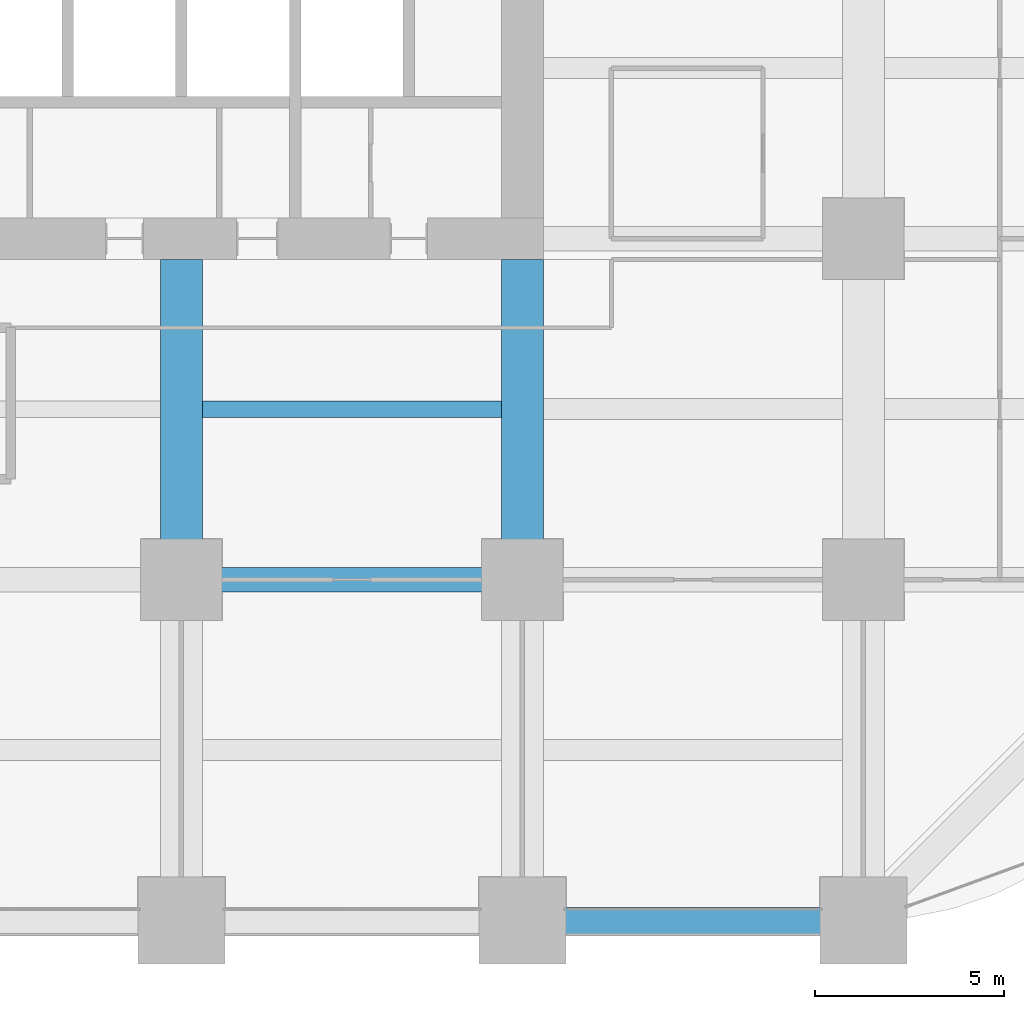
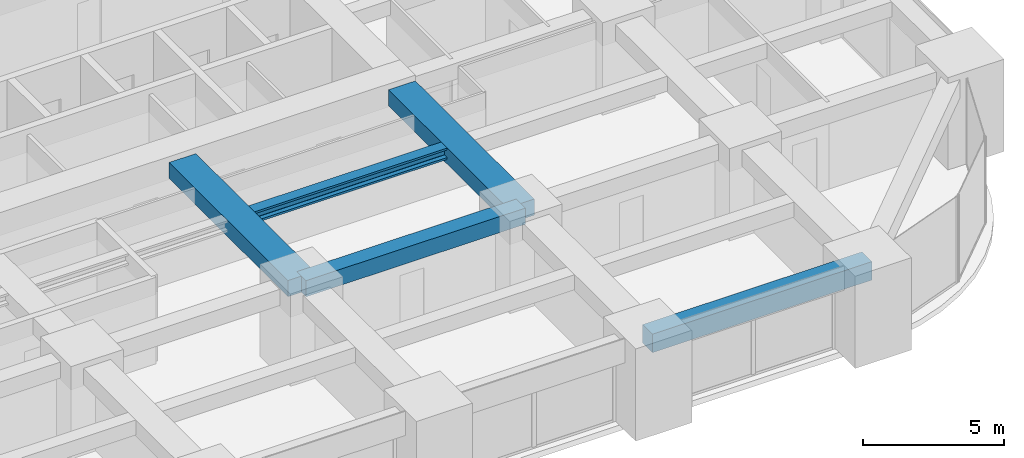
# One storey, part 14 of 44: 5 beams.
"""IFC4 building model written with IfcOpenShell, lengths in metres."""

from ifc_helpers import new_model, si_unit, direction, frame, origin, origin_2d, place, context, subcontext, project, spatial, rectangle, i_section, extrude, material, material_profile, profile_set, type_object, element, save


model = new_model("IFC4")

# Units and contexts
model_context = context("Model", 3, precision=1e-05, world=origin(), true_north=direction((0.0, 1.0)))
body_context = subcontext(model_context, "Body", "Model", "MODEL_VIEW")
ifc_project = project(units=[si_unit("LENGTHUNIT", "METRE"), si_unit("AREAUNIT", "SQUARE_METRE"), si_unit("VOLUMEUNIT", "CUBIC_METRE"), si_unit("PLANEANGLEUNIT", "RADIAN"), si_unit("MASSUNIT", "GRAM", prefix="KILO")], contexts=[model_context])

# Site, building, storey
site_placement = place(None, origin())
site = spatial("IfcSite", under=ifc_project, at=site_placement, CompositionType="ELEMENT")
building_placement = place(site_placement, origin())
building = spatial("IfcBuilding", under=site, at=building_placement, Name="Zorevar Civic Tower", CompositionType="ELEMENT")
storey_placement = place(building_placement, frame((0.0, 0.0, 51.800048828125)))
storey = spatial("IfcBuildingStorey", under=building, at=storey_placement, Name="L12", CompositionType="ELEMENT", Elevation=51.800048828125)

# Beams
ifc_material_1 = material(Name="Concrete C50/60", Category="concrete")
ifc_material_profile_1 = material_profile(ifc_material_1, rectangle(XDim=1.10009765625, YDim=0.699951171875, at=origin_2d()), Name="RC 1100x700")
ifc_profile_set_1 = profile_set([ifc_material_profile_1], Name="Concrete C50/60")
beam_type_1 = type_object("IfcBeamType", Name="Beam RC 1100x700", PredefinedType="BEAM", material=ifc_profile_set_1)
for number, where, z_axis, x_axis, name in (
    (1, (36.0, 9.0, 3.39990234375), (0.0, 1.0, 0.0), (-1.0, 0.0, 0.0), "Girder L13"),
    (2, (45.0, 9.0, 3.39990234375), (0.0, 1.0, 0.0), (-1.0, 0.0, 0.0), "Girder L13"),
):
    element("IfcBeam", number, at=place(storey_placement, frame(where, z_axis=z_axis, x_axis=x_axis)), inside=storey, type_object=beam_type_1, Name=name, PredefinedType="BEAM", context=body_context, shape_type="SweptSolid", body=[
        extrude(rectangle(XDim=1.10009765625, YDim=0.699951171875, at=origin_2d()), origin(), (0.0, 0.0, 1.0), 8.449951171875),
    ])
ifc_material_2 = material(Name="Concrete C50/60", Category="concrete")
ifc_material_profile_2 = material_profile(ifc_material_2, rectangle(XDim=0.64990234375, YDim=0.699951171875, at=origin_2d()), Name="RC 650x700")
ifc_profile_set_2 = profile_set([ifc_material_profile_2], Name="Concrete C50/60")
beam_type_2 = type_object("IfcBeamType", Name="Beam RC 650x700", PredefinedType="BEAM", material=ifc_profile_set_2)
beam_1_placement = place(storey_placement, frame((36.0, 9.0, 3.39990234375), z_axis=(1.0, 0.0, 0.0), x_axis=(0.0, 1.0, 0.0)))
element("IfcBeam", 3, at=beam_1_placement, inside=storey, type_object=beam_type_2, Name="Girder L13", PredefinedType="BEAM", context=body_context, shape_type="SweptSolid", body=[
    extrude(rectangle(XDim=0.64990234375, YDim=0.699951171875, at=origin_2d()), origin(), (0.0, 0.0, 1.0), 9.0),
])
ifc_material_3 = material(Name="Steel S460M (HISTAR 460)", Category="steel")
ifc_material_profile_3 = material_profile(ifc_material_3, i_section(OverallWidth=0.431884765625, OverallDepth=0.498046875, WebThickness=0.0556640625, FlangeThickness=0.0888671875, FilletRadius=0.014892578125, at=origin_2d()), Name="HD 400x744")
ifc_profile_set_3 = profile_set([ifc_material_profile_3], Name="Steel S460M (HISTAR 460)")
beam_type_3 = type_object("IfcBeamType", Name="Core bay beam HD 400x744", PredefinedType="BEAM", material=ifc_profile_set_3)
beam_2_placement = place(storey_placement, frame((36.550048828125, 13.5, 3.5009765625), z_axis=(1.0, 0.0, 0.0), x_axis=(0.0, 1.0, 0.0)))
element("IfcBeam", 4, at=beam_2_placement, inside=storey, type_object=beam_type_3, Name="Secondary beam L13", PredefinedType="BEAM", context=body_context, shape_type="SweptSolid", body=[
    extrude(i_section(OverallWidth=0.431884765625, OverallDepth=0.498046875, WebThickness=0.0556640625, FlangeThickness=0.0888671875, FilletRadius=0.014892578125, at=origin_2d()), origin(), (0.0, 0.0, 1.0), 7.89990234375),
])
ifc_material_4 = material(Name="Concrete C50/60", Category="concrete")
ifc_material_profile_4 = material_profile(ifc_material_4, rectangle(XDim=0.699951171875, YDim=0.800048828125, at=origin_2d()), Name="RC 700x800")
ifc_profile_set_4 = profile_set([ifc_material_profile_4], Name="Concrete C50/60")
beam_type_4 = type_object("IfcBeamType", Name="Edge beam RC 700x800", PredefinedType="SPANDREL", material=ifc_profile_set_4)
beam_3_placement = place(storey_placement, frame((45.0, 0.0, 3.349853515625), z_axis=(1.0, 0.0, 0.0), x_axis=(0.0, 1.0, 0.0)))
element("IfcBeam", 5, at=beam_3_placement, inside=storey, type_object=beam_type_4, Name="Edge beam L13", PredefinedType="SPANDREL", context=body_context, shape_type="SweptSolid", body=[
    extrude(rectangle(XDim=0.699951171875, YDim=0.800048828125, at=origin_2d()), origin(), (0.0, 0.0, 1.0), 9.0),
])

save(model, "model.ifc")
